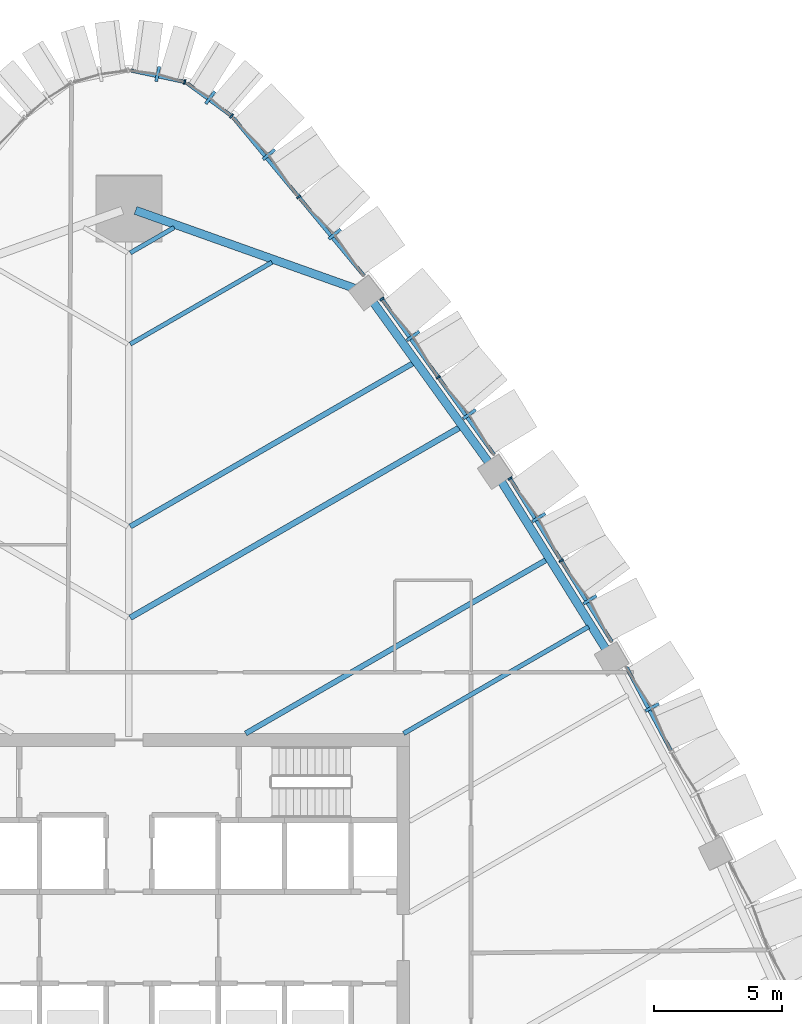
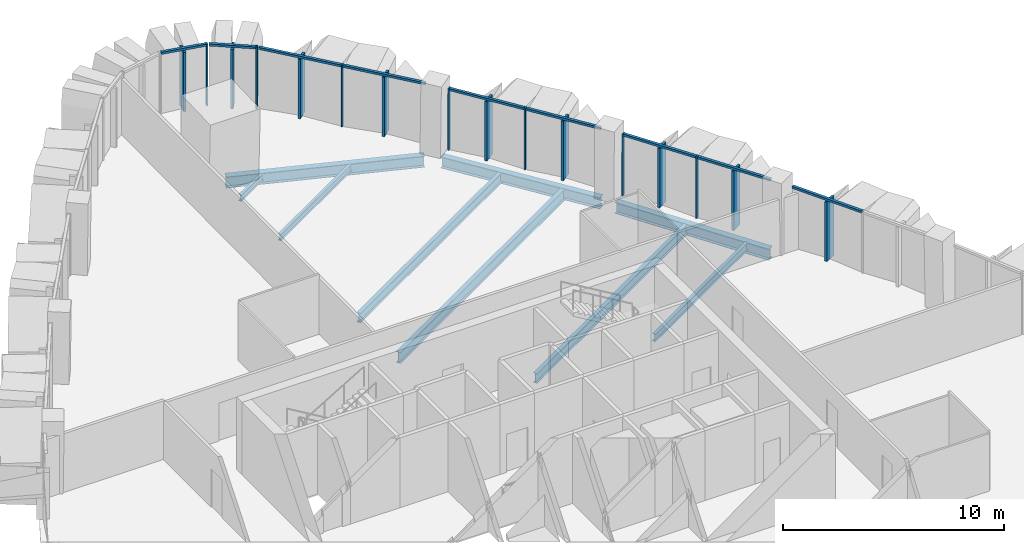
# One storey, part 7 of 18: 25 members, 9 beams, 6 elements without a shape of their own.
"""IFC4 building model written with IfcOpenShell, lengths in metres."""

from ifc_helpers import new_model, si_unit, direction, frame, origin, origin_2d, place, context, subcontext, project, spatial, rectangle, i_section, extrude, material, layer, layer_set, material_profile, profile_set, type_object, element, aggregate, save


model = new_model("IFC4")

# Units and contexts
model_context = context("Model", 3, precision=1e-05, world=origin(), true_north=direction((0.0, 1.0)))
body_context = subcontext(model_context, "Body", "Model", "MODEL_VIEW")
ifc_project = project(units=[si_unit("LENGTHUNIT", "METRE"), si_unit("AREAUNIT", "SQUARE_METRE"), si_unit("VOLUMEUNIT", "CUBIC_METRE"), si_unit("PLANEANGLEUNIT", "RADIAN"), si_unit("MASSUNIT", "GRAM", prefix="KILO")], contexts=[model_context])

# Site, building, storey
site_placement = place(None, origin())
site = spatial("IfcSite", under=ifc_project, at=site_placement, CompositionType="ELEMENT")
building_placement = place(site_placement, origin())
building = spatial("IfcBuilding", under=site, at=building_placement, Name="Sierra Prisma Convention Tower", CompositionType="ELEMENT")
storey_placement = place(building_placement, frame((0.0, 0.0, 137.800048828125)))
storey = spatial("IfcBuildingStorey", under=building, at=storey_placement, Name="L29", CompositionType="ELEMENT", Elevation=137.800048828125)

# Curtain wall, member
ifc_material_1 = material(Name="Aluminium and glass curtain wall", Category="aluminium")
ifc_layer = layer(ifc_material_1, 0.179931640625)
ifc_layer_set = layer_set([ifc_layer], Name="CW-2 Faceted crystal curtain wall")
curtain_wall_type = type_object("IfcCurtainWallType", Name="CW-2 Faceted crystal curtain wall", PredefinedType="NOTDEFINED", material=ifc_layer_set)
curtain_wall_1_placement = place(storey_placement, origin())
curtain_wall_1 = element("IfcCurtainWall", 1, at=curtain_wall_1_placement, inside=storey, type_object=curtain_wall_type, Name="CW-2 NE3 L29", PredefinedType="NOTDEFINED")
ifc_material_2 = material(Name="Aluminium 6063-T6 bronze anodised", Category="aluminium")
ifc_material_profile_1 = material_profile(ifc_material_2, rectangle(XDim=0.1201171875, YDim=0.60009765625, at=origin_2d()), Name="ALU RIDGE BLADE 120x600")
ifc_profile_set_1 = profile_set([ifc_material_profile_1], Name="Aluminium 6063-T6 bronze anodised")
member_type_1 = type_object("IfcMemberType", Name="CW hip bronze", PredefinedType="MULLION", material=ifc_profile_set_1)
member_1_placement = place(storey_placement, frame((20.49853515625, 9.022705078125, 0.0), z_axis=(0.0, 0.0, 1.0), x_axis=(-0.470704785695, 0.882290771075, 0.0)))
member_1 = element("IfcMember", 2, at=member_1_placement, type_object=member_type_1, Name="CW-2 ridge NE3.2", PredefinedType="MULLION", context=body_context, shape_type="SweptSolid", body=[
    extrude(rectangle(XDim=0.1201171875, YDim=0.60009765625, at=origin_2d()), origin(), (0.0, 0.0, 1.0), 3.280029296875),
])

# Curtain wall, members
curtain_wall_2_placement = place(storey_placement, origin())
curtain_wall_2 = element("IfcCurtainWall", 3, at=curtain_wall_2_placement, inside=storey, type_object=curtain_wall_type, Name="CW-2 NE4 L29", PredefinedType="NOTDEFINED")
member_2_placement = place(storey_placement, frame((18.063232421875, 13.24072265625, 0.0), z_axis=(0.0, 0.0, 1.0), x_axis=(-0.528733828428, 0.848787687632, 0.0)))
member_2 = element("IfcMember", 4, at=member_2_placement, type_object=member_type_1, Name="CW-2 ridge NE4.1", PredefinedType="MULLION", context=body_context, shape_type="SweptSolid", body=[
    extrude(rectangle(XDim=0.1201171875, YDim=0.60009765625, at=origin_2d()), origin(), (0.0, 0.0, 1.0), 3.280029296875),
])
member_3_placement = place(storey_placement, frame((16.057373046875, 16.460693359375, 0.0), z_axis=(0.0, 0.0, 1.0), x_axis=(-0.528733828428, 0.848787687632, 0.0)))
member_3 = element("IfcMember", 5, at=member_3_placement, type_object=member_type_1, Name="CW-2 ridge NE4.2", PredefinedType="MULLION", context=body_context, shape_type="SweptSolid", body=[
    extrude(rectangle(XDim=0.1201171875, YDim=0.60009765625, at=origin_2d()), origin(), (0.0, 0.0, 1.0), 3.280029296875),
])

curtain_wall_3_placement = place(storey_placement, origin())
curtain_wall_3 = element("IfcCurtainWall", 6, at=curtain_wall_3_placement, inside=storey, type_object=curtain_wall_type, Name="CW-2 NE5 L29", PredefinedType="NOTDEFINED")
member_4_placement = place(storey_placement, frame((13.342529296875, 20.510009765625, 0.0), z_axis=(0.0, 0.0, 1.0), x_axis=(-0.584388948074, 0.81147369481, 0.0)))
member_4 = element("IfcMember", 7, at=member_4_placement, type_object=member_type_1, Name="CW-2 ridge NE5.1", PredefinedType="MULLION", context=body_context, shape_type="SweptSolid", body=[
    extrude(rectangle(XDim=0.1201171875, YDim=0.60009765625, at=origin_2d()), origin(), (0.0, 0.0, 1.0), 3.280029296875),
])
member_5_placement = place(storey_placement, frame((11.134765625, 23.575927734375, 0.0), z_axis=(0.0, 0.0, 1.0), x_axis=(-0.584388948074, 0.81147369481, 0.0)))
member_5 = element("IfcMember", 8, at=member_5_placement, type_object=member_type_1, Name="CW-2 ridge NE5.2", PredefinedType="MULLION", context=body_context, shape_type="SweptSolid", body=[
    extrude(rectangle(XDim=0.1201171875, YDim=0.60009765625, at=origin_2d()), origin(), (0.0, 0.0, 1.0), 3.280029296875),
])

curtain_wall_4_placement = place(storey_placement, origin())
curtain_wall_4 = element("IfcCurtainWall", 9, at=curtain_wall_4_placement, inside=storey, type_object=curtain_wall_type, Name="CW-2 NE6 L29", PredefinedType="NOTDEFINED")
member_6_placement = place(storey_placement, frame((8.0634765625, 27.56494140625, 0.0), z_axis=(0.0, 0.0, 1.0), x_axis=(-0.637420262791, 0.770516325968, 0.0)))
member_6 = element("IfcMember", 10, at=member_6_placement, type_object=member_type_1, Name="CW-2 ridge NE6.1", PredefinedType="MULLION", context=body_context, shape_type="SweptSolid", body=[
    extrude(rectangle(XDim=0.1201171875, YDim=0.60009765625, at=origin_2d()), origin(), (0.0, 0.0, 1.0), 3.280029296875),
])
member_7_placement = place(storey_placement, frame((5.482177734375, 30.685302734375, 0.0), z_axis=(0.0, 0.0, 1.0), x_axis=(-0.637420262791, 0.770516325968, 0.0)))
member_7 = element("IfcMember", 11, at=member_7_placement, type_object=member_type_1, Name="CW-2 ridge NE6.2", PredefinedType="MULLION", context=body_context, shape_type="SweptSolid", body=[
    extrude(rectangle(XDim=0.1201171875, YDim=0.60009765625, at=origin_2d()), origin(), (0.0, 0.0, 1.0), 3.280029296875),
])

# Curtain wall, member
curtain_wall_5_placement = place(storey_placement, origin())
curtain_wall_5 = element("IfcCurtainWall", 12, at=curtain_wall_5_placement, inside=storey, type_object=curtain_wall_type, Name="CW-2 N1 L29", PredefinedType="NOTDEFINED")
member_8_placement = place(storey_placement, frame((3.183837890625, 32.9130859375, 0.0), z_axis=(0.0, 0.0, 1.0), x_axis=(-0.805305304838, 0.592860325878, 0.0)))
member_8 = element("IfcMember", 13, at=member_8_placement, type_object=member_type_1, Name="CW-2 ridge N1.1", PredefinedType="MULLION", context=body_context, shape_type="SweptSolid", body=[
    extrude(rectangle(XDim=0.1201171875, YDim=0.60009765625, at=origin_2d()), origin(), (0.0, 0.0, 1.0), 3.280029296875),
])

curtain_wall_6_placement = place(storey_placement, origin())
curtain_wall_6 = element("IfcCurtainWall", 14, at=curtain_wall_6_placement, inside=storey, type_object=curtain_wall_type, Name="CW-2 N2 L29", PredefinedType="NOTDEFINED")
member_9_placement = place(storey_placement, frame((1.127685546875, 33.839111328125, 0.0), z_axis=(0.0, 0.0, 1.0), x_axis=(-0.977709701838, 0.209961279603, 0.0)))
member_9 = element("IfcMember", 15, at=member_9_placement, type_object=member_type_1, Name="CW-2 ridge N2.1", PredefinedType="MULLION", context=body_context, shape_type="SweptSolid", body=[
    extrude(rectangle(XDim=0.1201171875, YDim=0.60009765625, at=origin_2d()), origin(), (0.0, 0.0, 1.0), 3.280029296875),
])

# Member
ifc_material_3 = material(Name="Aluminium 6063-T6 bronze anodised", Category="aluminium")
ifc_material_profile_2 = material_profile(ifc_material_3, rectangle(XDim=0.179931640625, YDim=0.070068359375, at=origin_2d()), Name="ALU MULLION 70x180")
ifc_profile_set_2 = profile_set([ifc_material_profile_2], Name="Aluminium 6063-T6 bronze anodised")
member_type_2 = type_object("IfcMemberType", Name="CW mullion bronze", PredefinedType="MULLION", material=ifc_profile_set_2)
member_10_placement = place(storey_placement, frame((16.93603515625, 14.773193359375, 0.0), z_axis=(0.0, 0.0, 1.0), x_axis=(-0.848787687632, -0.528733828428, 0.0)))
member_10 = element("IfcMember", 16, at=member_10_placement, type_object=member_type_2, Name="CW-1 mullion NE4.2", PredefinedType="MULLION", context=body_context, shape_type="SweptSolid", body=[
    extrude(rectangle(XDim=0.179931640625, YDim=0.070068359375, at=origin_2d()), origin(), (0.0, 0.0, 1.0), 3.39990234375),
])

member_11_placement = place(storey_placement, frame((14.93017578125, 17.9931640625, 0.0), z_axis=(0.0, 0.0, 1.0), x_axis=(-0.848787687632, -0.528733828428, 0.0)))
member_11 = element("IfcMember", 17, at=member_11_placement, type_object=member_type_2, Name="CW-1 mullion NE4.3", PredefinedType="MULLION", context=body_context, shape_type="SweptSolid", body=[
    extrude(rectangle(XDim=0.179931640625, YDim=0.070068359375, at=origin_2d()), origin(), (0.0, 0.0, 1.0), 3.39990234375),
])

member_12_placement = place(storey_placement, frame((12.1201171875, 21.957763671875, 0.0), z_axis=(0.0, 0.0, 1.0), x_axis=(-0.81147369481, -0.584388948074, 0.0)))
member_12 = element("IfcMember", 18, at=member_12_placement, type_object=member_type_2, Name="CW-1 mullion NE5.2", PredefinedType="MULLION", context=body_context, shape_type="SweptSolid", body=[
    extrude(rectangle(XDim=0.179931640625, YDim=0.070068359375, at=origin_2d()), origin(), (0.0, 0.0, 1.0), 3.39990234375),
])

member_13_placement = place(storey_placement, frame((9.912353515625, 25.0234375, 0.0), z_axis=(0.0, 0.0, 1.0), x_axis=(-0.81147369481, -0.584388948074, 0.0)))
member_13 = element("IfcMember", 19, at=member_13_placement, type_object=member_type_2, Name="CW-1 mullion NE5.3", PredefinedType="MULLION", context=body_context, shape_type="SweptSolid", body=[
    extrude(rectangle(XDim=0.179931640625, YDim=0.070068359375, at=origin_2d()), origin(), (0.0, 0.0, 1.0), 3.39990234375),
])

member_14_placement = place(storey_placement, frame((6.652099609375, 29.025146484375, 0.0), z_axis=(0.0, 0.0, 1.0), x_axis=(-0.770516325968, -0.637420262791, 0.0)))
member_14 = element("IfcMember", 20, at=member_14_placement, type_object=member_type_2, Name="CW-1 mullion NE6.2", PredefinedType="MULLION", context=body_context, shape_type="SweptSolid", body=[
    extrude(rectangle(XDim=0.179931640625, YDim=0.070068359375, at=origin_2d()), origin(), (0.0, 0.0, 1.0), 3.39990234375),
])

member_15_placement = place(storey_placement, frame((4.020263671875, 32.193359375, 0.0), z_axis=(0.0, 0.0, 1.0), x_axis=(-0.592860325878, -0.805305304838, 0.0)))
member_15 = element("IfcMember", 21, at=member_15_placement, type_object=member_type_2, Name="CW-1 mullion N1.1", PredefinedType="MULLION", context=body_context, shape_type="SweptSolid", body=[
    extrude(rectangle(XDim=0.179931640625, YDim=0.070068359375, at=origin_2d()), origin(), (0.0, 0.0, 1.0), 3.39990234375),
])

member_16_placement = place(storey_placement, frame((2.185791015625, 33.526123046875, 0.0), z_axis=(0.0, 0.0, 1.0), x_axis=(-0.209961279603, -0.977709701838, 0.0)))
member_16 = element("IfcMember", 22, at=member_16_placement, type_object=member_type_2, Name="CW-1 mullion N2.1", PredefinedType="MULLION", context=body_context, shape_type="SweptSolid", body=[
    extrude(rectangle(XDim=0.179931640625, YDim=0.070068359375, at=origin_2d()), origin(), (0.0, 0.0, 1.0), 3.39990234375),
])

ifc_material_4 = material(Name="Aluminium 6063-T6 bronze anodised", Category="aluminium")
ifc_material_profile_3 = material_profile(ifc_material_4, rectangle(XDim=0.139892578125, YDim=0.1201171875, at=origin_2d()), Name="ALU TRANSOM 120x140")
ifc_profile_set_3 = profile_set([ifc_material_profile_3], Name="Aluminium 6063-T6 bronze anodised")
member_type_3 = type_object("IfcMemberType", Name="CW transom bronze", PredefinedType="USERDEFINED", material=ifc_profile_set_3)
member_17_placement = place(storey_placement, frame((21.245361328125, 7.311279296875, 3.33984375), z_axis=(-0.47066310618, 0.882313005957, 0.0), x_axis=(-0.882313005957, -0.47066310618, 0.0)))
member_17 = element("IfcMember", 23, at=member_17_placement, type_object=member_type_3, Name="CW-1 transom NE3.2", ObjectType="TRANSOM", PredefinedType="USERDEFINED", context=body_context, shape_type="SweptSolid", body=[
    extrude(rectangle(XDim=0.139892578125, YDim=0.1201171875, at=origin_2d()), origin(), (0.0, 0.0, 1.0), 3.723388671875),
])

aggregate(curtain_wall_1, [member_17, member_1])

member_18_placement = place(storey_placement, frame((18.923095703125, 11.5830078125, 3.33984375), z_axis=(-0.528742983639, 0.848781984524, 0.0), x_axis=(-0.848781984524, -0.528742983639, 0.0)))
member_18 = element("IfcMember", 24, at=member_18_placement, type_object=member_type_3, Name="CW-1 transom NE4.1", ObjectType="TRANSOM", PredefinedType="USERDEFINED", context=body_context, shape_type="SweptSolid", body=[
    extrude(rectangle(XDim=0.139892578125, YDim=0.1201171875, at=origin_2d()), origin(), (0.0, 0.0, 1.0), 3.723388671875),
])

member_19_placement = place(storey_placement, frame((16.91748046875, 14.802978515625, 3.33984375), z_axis=(-0.528742983639, 0.848781984524, 0.0), x_axis=(-0.848781984524, -0.528742983639, 0.0)))
member_19 = element("IfcMember", 25, at=member_19_placement, type_object=member_type_3, Name="CW-1 transom NE4.2", ObjectType="TRANSOM", PredefinedType="USERDEFINED", context=body_context, shape_type="SweptSolid", body=[
    extrude(rectangle(XDim=0.139892578125, YDim=0.1201171875, at=origin_2d()), origin(), (0.0, 0.0, 1.0), 3.723388671875),
])

aggregate(curtain_wall_2, [member_10, member_11, member_18, member_2, member_19, member_3])

member_20_placement = place(storey_placement, frame((14.3076171875, 18.920166015625, 3.33984375), z_axis=(-0.584391444723, 0.811471896824, 0.0), x_axis=(-0.811471896824, -0.584391444723, 0.0)))
member_20 = element("IfcMember", 26, at=member_20_placement, type_object=member_type_3, Name="CW-1 transom NE5.1", ObjectType="TRANSOM", PredefinedType="USERDEFINED", context=body_context, shape_type="SweptSolid", body=[
    extrude(rectangle(XDim=0.139892578125, YDim=0.1201171875, at=origin_2d()), origin(), (0.0, 0.0, 1.0), 3.7080078125),
])

member_21_placement = place(storey_placement, frame((12.099853515625, 21.986083984375, 3.33984375), z_axis=(-0.584391444723, 0.811471896824, 0.0), x_axis=(-0.811471896824, -0.584391444723, 0.0)))
member_21 = element("IfcMember", 27, at=member_21_placement, type_object=member_type_3, Name="CW-1 transom NE5.2", ObjectType="TRANSOM", PredefinedType="USERDEFINED", context=body_context, shape_type="SweptSolid", body=[
    extrude(rectangle(XDim=0.139892578125, YDim=0.1201171875, at=origin_2d()), origin(), (0.0, 0.0, 1.0), 3.7080078125),
])

aggregate(curtain_wall_3, [member_12, member_13, member_20, member_4, member_21, member_5])

member_22_placement = place(storey_placement, frame((9.211181640625, 25.931884765625, 3.33984375), z_axis=(-0.637404480593, 0.770529381737, 0.0), x_axis=(-0.770529381737, -0.637404480593, 0.0)))
member_22 = element("IfcMember", 28, at=member_22_placement, type_object=member_type_3, Name="CW-1 transom NE6.1", ObjectType="TRANSOM", PredefinedType="USERDEFINED", context=body_context, shape_type="SweptSolid", body=[
    extrude(rectangle(XDim=0.139892578125, YDim=0.1201171875, at=origin_2d()), origin(), (0.0, 0.0, 1.0), 3.9794921875),
])

member_23_placement = place(storey_placement, frame((6.6298828125, 29.05224609375, 3.33984375), z_axis=(-0.637440901646, 0.770499251725, 0.0), x_axis=(-0.770499251725, -0.637440901646, 0.0)))
member_23 = element("IfcMember", 29, at=member_23_placement, type_object=member_type_3, Name="CW-1 transom NE6.2", ObjectType="TRANSOM", PredefinedType="USERDEFINED", context=body_context, shape_type="SweptSolid", body=[
    extrude(rectangle(XDim=0.139892578125, YDim=0.1201171875, at=origin_2d()), origin(), (0.0, 0.0, 1.0), 3.979736328125),
])

aggregate(curtain_wall_4, [member_14, member_22, member_6, member_23, member_7])

member_24_placement = place(storey_placement, frame((3.9921875, 32.214111328125, 3.33984375), z_axis=(-0.805358158954, 0.592788525366, 0.0), x_axis=(-0.592788525366, -0.805358158954, 0.0)))
member_24 = element("IfcMember", 30, at=member_24_placement, type_object=member_type_3, Name="CW-1 transom N1.1", ObjectType="TRANSOM", PredefinedType="USERDEFINED", context=body_context, shape_type="SweptSolid", body=[
    extrude(rectangle(XDim=0.139892578125, YDim=0.1201171875, at=origin_2d()), origin(), (0.0, 0.0, 1.0), 2.130615234375),
])

aggregate(curtain_wall_5, [member_15, member_24, member_8])

member_25_placement = place(storey_placement, frame((2.151611328125, 33.533447265625, 3.33984375), z_axis=(-0.977720175897, 0.20991249997, 0.0), x_axis=(-0.20991249997, -0.977720175897, 0.0)))
member_25 = element("IfcMember", 31, at=member_25_placement, type_object=member_type_3, Name="CW-1 transom N2.1", ObjectType="TRANSOM", PredefinedType="USERDEFINED", context=body_context, shape_type="SweptSolid", body=[
    extrude(rectangle(XDim=0.139892578125, YDim=0.1201171875, at=origin_2d()), origin(), (0.0, 0.0, 1.0), 2.130615234375),
])

aggregate(curtain_wall_6, [member_16, member_25, member_9])

# Beams
ifc_material_5 = material(Name="Steel ASTM A992 Gr 50", Category="steel")
ifc_material_profile_4 = material_profile(ifc_material_5, i_section(OverallWidth=0.172119140625, OverallDepth=0.35791015625, WebThickness=0.0078125, FlangeThickness=0.01318359375, at=origin_2d()), Name="W360x57")
ifc_profile_set_4 = profile_set([ifc_material_profile_4], Name="Steel ASTM A992 Gr 50")
beam_type_1 = type_object("IfcBeamType", Name="Floor joist W360x57", PredefinedType="JOIST", material=ifc_profile_set_4)
beam_1_placement = place(storey_placement, frame((5.601806640625, 26.462158203125, -0.3291015625), z_axis=(-0.866028917938, -0.499993913259, 0.0), x_axis=(0.499993913259, -0.866028917938, 0.0)))
element("IfcBeam", 32, at=beam_1_placement, inside=storey, type_object=beam_type_1, Name="Floor joist L29 NE15", PredefinedType="JOIST", context=body_context, shape_type="SweptSolid", body=[
    extrude(i_section(OverallWidth=0.172119140625, OverallDepth=0.35791015625, WebThickness=0.0078125, FlangeThickness=0.01318359375, at=origin_2d()), origin(), (0.0, 0.0, 1.0), 6.40966796875),
])
beam_2_placement = place(storey_placement, frame((1.77294921875, 27.8251953125, -0.3291015625), z_axis=(-0.866005670015, -0.500034178334, 0.0), x_axis=(0.500034178334, -0.866005670015, 0.0)))
element("IfcBeam", 33, at=beam_2_placement, inside=storey, type_object=beam_type_1, Name="Floor joist L29 NE16", PredefinedType="JOIST", context=body_context, shape_type="SweptSolid", body=[
    extrude(i_section(OverallWidth=0.172119140625, OverallDepth=0.35791015625, WebThickness=0.0078125, FlangeThickness=0.01318359375, at=origin_2d()), origin(), (0.0, 0.0, 1.0), 1.988525390625),
])
ifc_material_6 = material(Name="Steel ASTM A992 Gr 50", Category="steel")
ifc_material_profile_5 = material_profile(ifc_material_6, i_section(OverallWidth=0.177978515625, OverallDepth=0.406982421875, WebThickness=0.0078125, FlangeThickness=0.0126953125, at=origin_2d()), Name="W410x60")
ifc_profile_set_5 = profile_set([ifc_material_profile_5], Name="Steel ASTM A992 Gr 50")
beam_type_2 = type_object("IfcBeamType", Name="Floor joist W410x60", PredefinedType="JOIST", material=ifc_profile_set_5)
beam_3_placement = place(storey_placement, frame((18.00537109375, 12.18212890625, -0.353515625), z_axis=(-0.866025182435, -0.500000383388, 0.0), x_axis=(0.500000383388, -0.866025182435, 0.0)))
element("IfcBeam", 34, at=beam_3_placement, inside=storey, type_object=beam_type_2, Name="Floor joist L29 NE09", PredefinedType="JOIST", context=body_context, shape_type="SweptSolid", body=[
    extrude(i_section(OverallWidth=0.177978515625, OverallDepth=0.406982421875, WebThickness=0.0078125, FlangeThickness=0.0126953125, at=origin_2d()), origin(), (0.0, 0.0, 1.0), 8.3642578125),
])
ifc_material_7 = material(Name="Steel ASTM A992 Gr 50", Category="steel")
ifc_material_profile_6 = material_profile(ifc_material_7, i_section(OverallWidth=0.208984375, OverallDepth=0.532958984375, WebThickness=0.01025390625, FlangeThickness=0.015625, at=origin_2d()), Name="W530x92")
ifc_profile_set_6 = profile_set([ifc_material_profile_6], Name="Steel ASTM A992 Gr 50")
beam_type_3 = type_object("IfcBeamType", Name="Floor joist W530x92", PredefinedType="JOIST", material=ifc_profile_set_6)
beam_4_placement = place(storey_placement, frame((16.3681640625, 14.810302734375, -0.41650390625), z_axis=(-0.866031868538, -0.499988802551, 0.0), x_axis=(0.499988802551, -0.866031868538, 0.0)))
element("IfcBeam", 35, at=beam_4_placement, inside=storey, type_object=beam_type_3, Name="Floor joist L29 NE10", PredefinedType="JOIST", context=body_context, shape_type="SweptSolid", body=[
    extrude(i_section(OverallWidth=0.208984375, OverallDepth=0.532958984375, WebThickness=0.01025390625, FlangeThickness=0.015625, at=origin_2d()), origin(), (0.0, 0.0, 1.0), 13.620849609375),
])
beam_5_placement = place(storey_placement, frame((11.1474609375, 22.516845703125, -0.41650390625), z_axis=(-0.866023130245, -0.500003937866, 0.0), x_axis=(0.500003937866, -0.866023130245, 0.0)))
element("IfcBeam", 36, at=beam_5_placement, inside=storey, type_object=beam_type_3, Name="Floor joist L29 NE13", PredefinedType="JOIST", context=body_context, shape_type="SweptSolid", body=[
    extrude(i_section(OverallWidth=0.208984375, OverallDepth=0.532958984375, WebThickness=0.01025390625, FlangeThickness=0.015625, at=origin_2d()), origin(), (0.0, 0.0, 1.0), 12.8134765625),
])
ifc_material_8 = material(Name="Steel ASTM A992 Gr 50", Category="steel")
ifc_material_profile_7 = material_profile(ifc_material_8, i_section(OverallWidth=0.22802734375, OverallDepth=0.60302734375, WebThickness=0.010498046875, FlangeThickness=0.014892578125, at=origin_2d()), Name="W610x101")
ifc_profile_set_7 = profile_set([ifc_material_profile_7], Name="Steel ASTM A992 Gr 50")
beam_type_4 = type_object("IfcBeamType", Name="Floor joist W610x101", PredefinedType="JOIST", material=ifc_profile_set_7)
beam_6_placement = place(storey_placement, frame((12.965087890625, 19.992919921875, -0.45166015625), z_axis=(-0.866019003511, -0.500011085435, 0.0), x_axis=(0.500011085435, -0.866019003511, 0.0)))
element("IfcBeam", 37, at=beam_6_placement, inside=storey, type_object=beam_type_4, Name="Floor joist L29 NE12", PredefinedType="JOIST", context=body_context, shape_type="SweptSolid", body=[
    extrude(i_section(OverallWidth=0.22802734375, OverallDepth=0.60302734375, WebThickness=0.010498046875, FlangeThickness=0.014892578125, at=origin_2d()), origin(), (0.0, 0.0, 1.0), 14.912353515625),
])
ifc_material_9 = material(Name="Steel ASTM A992 Gr 50", Category="steel")
ifc_material_profile_8 = material_profile(ifc_material_9, i_section(OverallWidth=0.324951171875, OverallDepth=0.615966796875, WebThickness=0.013916015625, FlangeThickness=0.021484375, at=origin_2d()), Name="W610x174")
ifc_profile_set_8 = profile_set([ifc_material_profile_8], Name="Steel ASTM A992 Gr 50")
beam_type_5 = type_object("IfcBeamType", Name="Spandrel beam W610x174", PredefinedType="BEAM", material=ifc_profile_set_8)
for number, where, z_axis, x_axis, name in (
    (38, (18.72021484375, 11.2470703125, -0.4580078125), (-0.528734831513, 0.848787062781, 0.0), (-0.848787062781, -0.528734831513, 0.0), "Spandrel L29-10"),
    (39, (14.127685546875, 18.5712890625, -0.4580078125), (-0.5843618183, 0.811493231834, 0.0), (-0.811493231834, -0.5843618183, 0.0), "Spandrel L29-11"),
):
    element("IfcBeam", number, at=place(storey_placement, frame(where, z_axis=z_axis, x_axis=x_axis)), inside=storey, type_object=beam_type_5, Name=name, PredefinedType="BEAM", context=body_context, shape_type="SweptSolid", body=[
        extrude(i_section(OverallWidth=0.324951171875, OverallDepth=0.615966796875, WebThickness=0.013916015625, FlangeThickness=0.021484375, at=origin_2d()), origin(), (0.0, 0.0, 1.0), 7.88525390625),
    ])
beam_7_placement = place(storey_placement, frame((8.8505859375, 25.437744140625, -0.4580078125), z_axis=(-0.942095750295, 0.335343998421, 0.0), x_axis=(-0.335343998421, -0.942095750295, 0.0)))
element("IfcBeam", 40, at=beam_7_placement, inside=storey, type_object=beam_type_5, Name="Spandrel L29-12", PredefinedType="BEAM", context=body_context, shape_type="SweptSolid", body=[
    extrude(i_section(OverallWidth=0.324951171875, OverallDepth=0.615966796875, WebThickness=0.013916015625, FlangeThickness=0.021484375, at=origin_2d()), origin(), (0.0, 0.0, 1.0), 9.11865234375),
])

save(model, "model.ifc")
